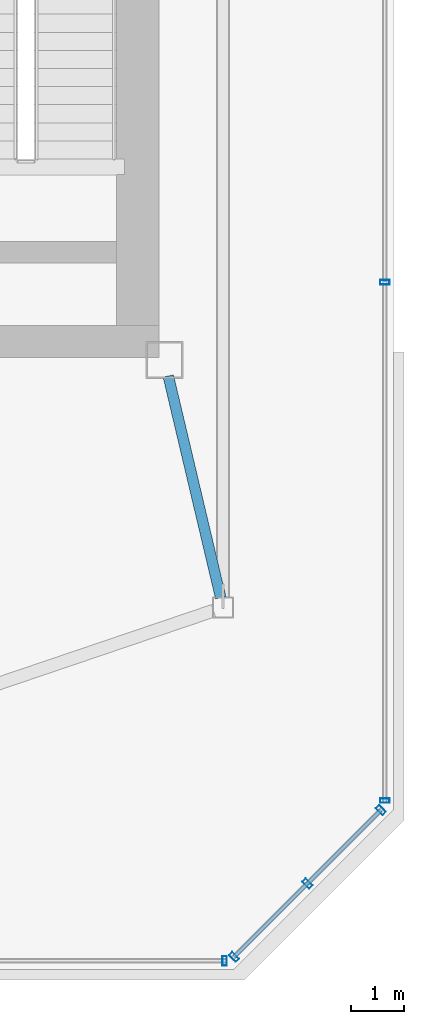
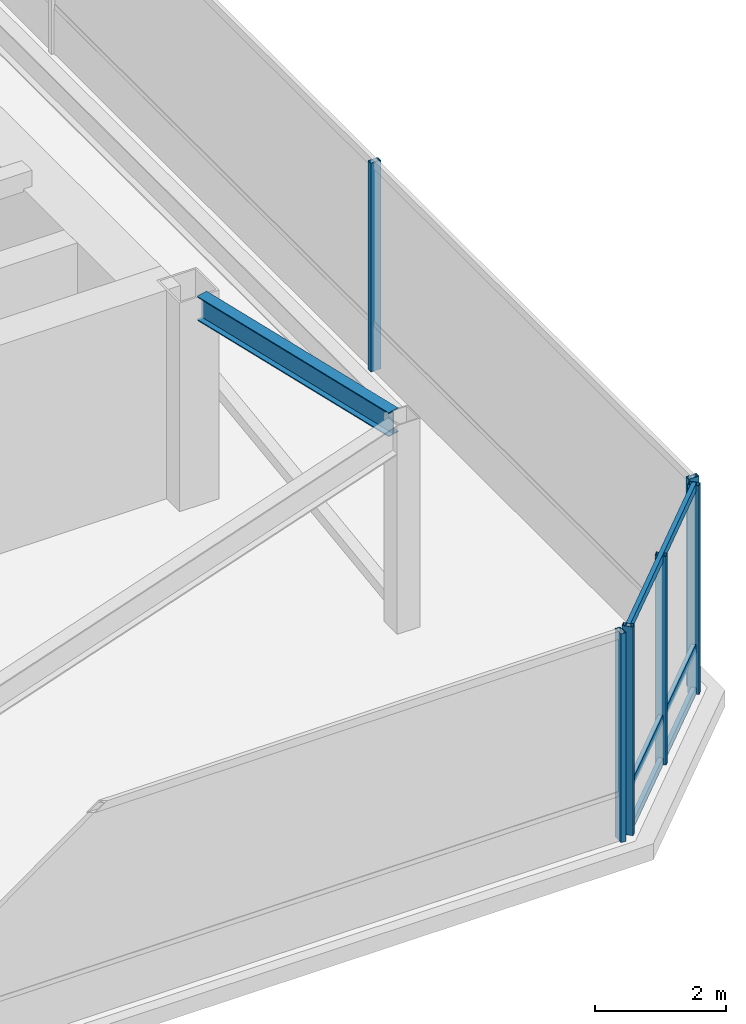
# One storey, part 10 of 21: 9 members, 1 beam, 3 elements without a shape of their own.
"""IFC4 building model written with IfcOpenShell, lengths in metres."""

from ifc_helpers import new_model, si_unit, direction, frame, origin, origin_2d, place, context, subcontext, project, spatial, hollow_rectangle, i_section, extrude, material, layer, layer_set, material_profile, profile_set, type_object, element, aggregate, save


model = new_model("IFC4")

# Units and contexts
model_context = context("Model", 3, precision=1e-05, world=origin(), true_north=direction((0.0, 1.0)))
body_context = subcontext(model_context, "Body", "Model", "MODEL_VIEW")
ifc_project = project(units=[si_unit("LENGTHUNIT", "METRE"), si_unit("AREAUNIT", "SQUARE_METRE"), si_unit("VOLUMEUNIT", "CUBIC_METRE"), si_unit("PLANEANGLEUNIT", "RADIAN"), si_unit("MASSUNIT", "GRAM", prefix="KILO")], contexts=[model_context])

# Site, building, storey
site_placement = place(None, origin())
site = spatial("IfcSite", under=ifc_project, at=site_placement, CompositionType="ELEMENT")
building_placement = place(site_placement, origin())
building = spatial("IfcBuilding", under=site, at=building_placement, Name="Tavrogorsk Clinical Tower", CompositionType="ELEMENT")
storey_placement = place(building_placement, frame((0.0, 0.0, 348.60009765625)))
storey = spatial("IfcBuildingStorey", under=building, at=storey_placement, Name="L81", CompositionType="ELEMENT", Elevation=348.60009765625)

# Curtain wall, members
ifc_material_1 = material(Name="Anodised aluminium and triple IGU glazing", Category="aluminium")
ifc_layer = layer(ifc_material_1, 0.179931640625)
ifc_layer_set = layer_set([ifc_layer], Name="Anodised aluminium and triple IGU glazing")
curtain_wall_type = type_object("IfcCurtainWallType", Name="CW5_SkyLobby", PredefinedType="NOTDEFINED", material=ifc_layer_set)
curtain_wall_1_placement = place(storey_placement, origin())
curtain_wall_1 = element("IfcCurtainWall", 1, at=curtain_wall_1_placement, inside=storey, type_object=curtain_wall_type, Name="L81 Curtain Wall CW-L81-DRUM-6", PredefinedType="NOTDEFINED")
ifc_material_2 = material(Name="Anodised aluminium alloy AW-6060", Category="aluminium")
ifc_material_profile_1 = material_profile(ifc_material_2, hollow_rectangle(XDim=0.090087890625, YDim=0.179931640625, WallThickness=0.00634765625, at=origin_2d()), Name="RHS-180x90x6.3")
ifc_profile_set_1 = profile_set([ifc_material_profile_1], Name="Anodised aluminium alloy AW-6060")
member_type_1 = type_object("IfcMemberType", Name="CwMullion_180x90", PredefinedType="MULLION", material=ifc_profile_set_1)
member_1_placement = place(storey_placement, frame((26.239990234375, -4.891357421875, 0.0), z_axis=(0.0, 0.0, 1.0), x_axis=(0.0, -1.0, 0.0)))
member_1 = element("IfcMember", 2, at=member_1_placement, type_object=member_type_1, Name="CW-L81-DRUM-6 Mullion 3", PredefinedType="MULLION", context=body_context, shape_type="SweptSolid", body=[
    extrude(hollow_rectangle(XDim=0.090087890625, YDim=0.179931640625, WallThickness=0.00634765625, at=origin_2d()), origin(), (0.0, 0.0, 1.0), 3.89990234375),
])
member_2_placement = place(storey_placement, frame((26.239990234375, -14.628662109375, 0.0), z_axis=(0.0, 0.0, 1.0), x_axis=(0.0, -1.0, 0.0)))
member_2 = element("IfcMember", 3, at=member_2_placement, type_object=member_type_1, Name="CW-L81-DRUM-6 Mullion 4", PredefinedType="MULLION", context=body_context, shape_type="SweptSolid", body=[
    extrude(hollow_rectangle(XDim=0.090087890625, YDim=0.179931640625, WallThickness=0.00634765625, at=origin_2d()), origin(), (0.0, 0.0, 1.0), 3.89990234375),
])
aggregate(curtain_wall_1, [member_1, member_2])

curtain_wall_2_placement = place(storey_placement, origin())
curtain_wall_2 = element("IfcCurtainWall", 4, at=curtain_wall_2_placement, inside=storey, type_object=curtain_wall_type, Name="L81 Curtain Wall CW-L81-DRUM-7", PredefinedType="NOTDEFINED")
member_3_placement = place(storey_placement, frame((26.165771484375, -14.807861328125, 0.0), z_axis=(0.0, 0.0, 1.0), x_axis=(-0.707106781187, -0.707106781187, 0.0)))
member_3 = element("IfcMember", 5, at=member_3_placement, type_object=member_type_1, Name="CW-L81-DRUM-7 Mullion 1", PredefinedType="MULLION", context=body_context, shape_type="SweptSolid", body=[
    extrude(hollow_rectangle(XDim=0.090087890625, YDim=0.179931640625, WallThickness=0.00634765625, at=origin_2d()), origin(), (0.0, 0.0, 1.0), 3.89990234375),
])
member_4_placement = place(storey_placement, frame((24.786865234375, -16.186767578125, 0.0), z_axis=(0.0, 0.0, 1.0), x_axis=(-0.707106781187, -0.707106781187, 0.0)))
member_4 = element("IfcMember", 6, at=member_4_placement, type_object=member_type_1, Name="CW-L81-DRUM-7 Mullion 2", PredefinedType="MULLION", context=body_context, shape_type="SweptSolid", body=[
    extrude(hollow_rectangle(XDim=0.090087890625, YDim=0.179931640625, WallThickness=0.00634765625, at=origin_2d()), origin(), (0.0, 0.0, 1.0), 3.89990234375),
])
member_5_placement = place(storey_placement, frame((23.407958984375, -17.565673828125, 0.0), z_axis=(0.0, 0.0, 1.0), x_axis=(-0.707106781187, -0.707106781187, 0.0)))
member_5 = element("IfcMember", 7, at=member_5_placement, type_object=member_type_1, Name="CW-L81-DRUM-7 Mullion 3", PredefinedType="MULLION", context=body_context, shape_type="SweptSolid", body=[
    extrude(hollow_rectangle(XDim=0.090087890625, YDim=0.179931640625, WallThickness=0.00634765625, at=origin_2d()), origin(), (0.0, 0.0, 1.0), 3.89990234375),
])

# Curtain wall, member
curtain_wall_3_placement = place(storey_placement, origin())
curtain_wall_3 = element("IfcCurtainWall", 8, at=curtain_wall_3_placement, inside=storey, type_object=curtain_wall_type, Name="L81 Curtain Wall CW-L81-DRUM-8", PredefinedType="NOTDEFINED")
member_6_placement = place(storey_placement, frame((23.228759765625, -17.639892578125, 0.0), z_axis=(0.0, 0.0, 1.0), x_axis=(-1.0, 0.0, 0.0)))
member_6 = element("IfcMember", 9, at=member_6_placement, type_object=member_type_1, Name="CW-L81-DRUM-8 Mullion 1", PredefinedType="MULLION", context=body_context, shape_type="SweptSolid", body=[
    extrude(hollow_rectangle(XDim=0.090087890625, YDim=0.179931640625, WallThickness=0.00634765625, at=origin_2d()), origin(), (0.0, 0.0, 1.0), 3.89990234375),
])
aggregate(curtain_wall_3, [member_6])

# Member
ifc_material_3 = material(Name="Anodised aluminium alloy AW-6060", Category="aluminium")
ifc_material_profile_2 = material_profile(ifc_material_3, hollow_rectangle(XDim=0.074951171875, YDim=0.14990234375, WallThickness=0.0048828125, at=origin_2d()), Name="RHS-150x75x5")
ifc_profile_set_2 = profile_set([ifc_material_profile_2], Name="Anodised aluminium alloy AW-6060")
member_type_2 = type_object("IfcMemberType", Name="CwTransom_150x75", PredefinedType="USERDEFINED", material=ifc_profile_set_2)
member_7_placement = place(storey_placement, frame((26.165771484375, -14.807861328125, 0.0498046875), z_axis=(-0.707106781187, -0.707106781187, 0.0), x_axis=(0.707106781187, -0.707106781187, 0.0)))
member_7 = element("IfcMember", 10, at=member_7_placement, type_object=member_type_2, Name="CW-L81-DRUM-7 Transom 1", ObjectType="TRANSOM", PredefinedType="USERDEFINED", context=body_context, shape_type="SweptSolid", body=[
    extrude(hollow_rectangle(XDim=0.074951171875, YDim=0.14990234375, WallThickness=0.0048828125, at=origin_2d()), origin(), (0.0, 0.0, 1.0), 3.900146484375),
])

member_8_placement = place(storey_placement, frame((26.165771484375, -14.807861328125, 0.849853515625), z_axis=(-0.707106781187, -0.707106781187, 0.0), x_axis=(0.707106781187, -0.707106781187, 0.0)))
member_8 = element("IfcMember", 11, at=member_8_placement, type_object=member_type_2, Name="CW-L81-DRUM-7 Transom 2", ObjectType="TRANSOM", PredefinedType="USERDEFINED", context=body_context, shape_type="SweptSolid", body=[
    extrude(hollow_rectangle(XDim=0.074951171875, YDim=0.14990234375, WallThickness=0.0048828125, at=origin_2d()), origin(), (0.0, 0.0, 1.0), 3.900146484375),
])

member_9_placement = place(storey_placement, frame((26.165771484375, -14.807861328125, 3.849853515625), z_axis=(-0.707106781187, -0.707106781187, 0.0), x_axis=(0.707106781187, -0.707106781187, 0.0)))
member_9 = element("IfcMember", 12, at=member_9_placement, type_object=member_type_2, Name="CW-L81-DRUM-7 Transom 3", ObjectType="TRANSOM", PredefinedType="USERDEFINED", context=body_context, shape_type="SweptSolid", body=[
    extrude(hollow_rectangle(XDim=0.074951171875, YDim=0.14990234375, WallThickness=0.0048828125, at=origin_2d()), origin(), (0.0, 0.0, 1.0), 3.900146484375),
])

aggregate(curtain_wall_2, [member_3, member_4, member_5, member_7, member_8, member_9])

# Beam
ifc_material_4 = material(Name="Structural steel S355", Category="steel")
ifc_material_profile_3 = material_profile(ifc_material_4, i_section(OverallWidth=0.199951171875, OverallDepth=0.449951171875, WebThickness=0.011474609375, FlangeThickness=0.01806640625, at=origin_2d()), Name="B-450x200x11.5x18")
ifc_profile_set_3 = profile_set([ifc_material_profile_3], Name="Structural steel S355")
beam_type = type_object("IfcBeamType", Name="FloorBeam_B450", PredefinedType="BEAM", material=ifc_profile_set_3)
beam_placement = place(storey_placement, frame((22.17138671875, -6.651611328125, 3.6748046875), z_axis=(0.230190528398, -0.973145580392, 0.0), x_axis=(0.973145580392, 0.230190528398, 0.0)))
element("IfcBeam", 13, at=beam_placement, inside=storey, type_object=beam_type, Name="L81 Crown Radial Beam 04", PredefinedType="BEAM", context=body_context, shape_type="SweptSolid", body=[
    extrude(i_section(OverallWidth=0.199951171875, OverallDepth=0.449951171875, WebThickness=0.011474609375, FlangeThickness=0.01806640625, at=origin_2d()), origin(), (0.0, 0.0, 1.0), 4.278564453125),
])

save(model, "model.ifc")
